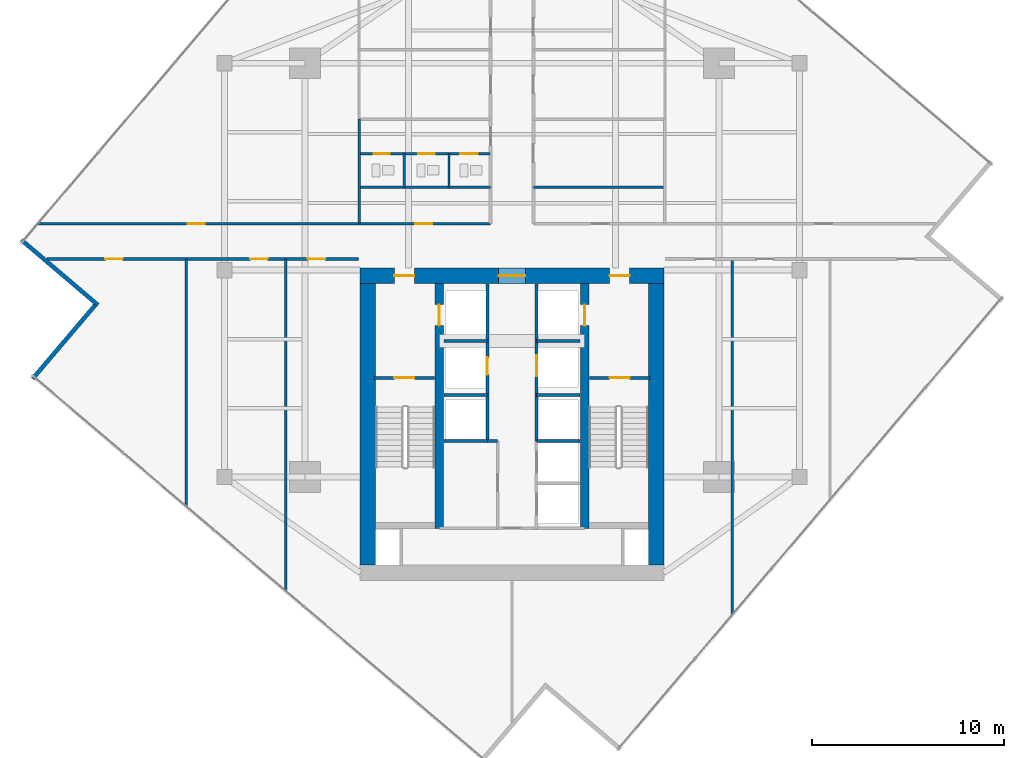
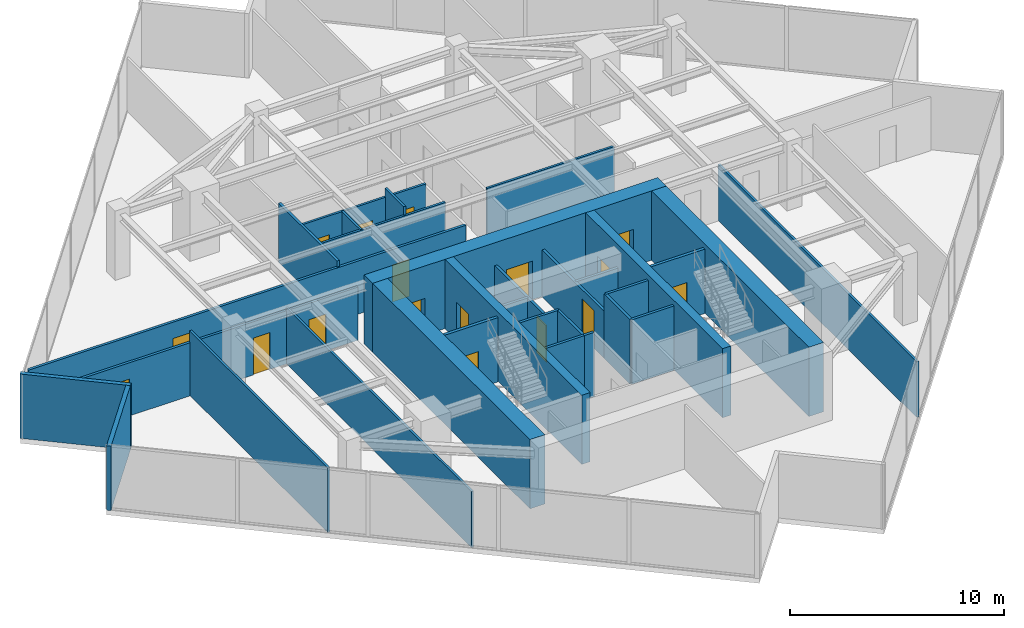
# One storey, part 22 of 25: 31 walls, 17 doors, 17 openings.
"""IFC4 building model written with IfcOpenShell, lengths in metres."""

from ifc_helpers import new_model, si_unit, direction, frame, frame_2d, origin, place, context, subcontext, project, spatial, rectangle, extrude, material, layer, layer_set, type_object, element, fill, save


model = new_model("IFC4")

# Units and contexts
model_context = context("Model", 3, precision=1e-05, world=origin(), true_north=direction((0.0, 1.0)))
body_context = subcontext(model_context, "Body", "Model", "MODEL_VIEW")
ifc_project = project(units=[si_unit("LENGTHUNIT", "METRE"), si_unit("AREAUNIT", "SQUARE_METRE"), si_unit("VOLUMEUNIT", "CUBIC_METRE"), si_unit("PLANEANGLEUNIT", "RADIAN"), si_unit("MASSUNIT", "GRAM", prefix="KILO")], contexts=[model_context])

# Site, building, storey
site_placement = place(None, origin())
site = spatial("IfcSite", under=ifc_project, at=site_placement, CompositionType="ELEMENT")
building_placement = place(site_placement, origin())
building = spatial("IfcBuilding", under=site, at=building_placement, Name="Krantzveldt Concourse Tower", CompositionType="ELEMENT")
storey_placement = place(building_placement, frame((0.0, 0.0, 211.25)))
storey = spatial("IfcBuildingStorey", under=building, at=storey_placement, Name="L51", CompositionType="ELEMENT", Elevation=211.25)

# Walls
ifc_material_1 = material(Name="Anodised aluminium 6063-T6", Category="aluminium")
ifc_layer_1 = layer(ifc_material_1, 0.219970703125, Name="Anodised aluminium 6063-T6", Category="aluminium")
ifc_layer_set_1 = layer_set([ifc_layer_1], Name="Anodised aluminium 6063-T6 (WL-EXT-NOTCH220)")
wall_type_1 = type_object("IfcWallType", Name="WL-EXT-NOTCH220", PredefinedType="ELEMENTEDWALL", material=ifc_layer_set_1)
wall_1_placement = place(storey_placement, frame((10.394287109375, 28.271484375, 0.0), z_axis=(0.0, 0.0, 1.0), x_axis=(0.761803778304, -0.647807844474, 0.0)))
element("IfcWall", 1, at=wall_1_placement, inside=storey, type_object=wall_type_1, Name="EW-L51-NCH02", PredefinedType="ELEMENTEDWALL", context=body_context, shape_type="SweptSolid", body=[
    extrude(rectangle(XDim=5.244873046875, YDim=0.219970703125, at=frame_2d((2.62255859375, 0.0))), origin(), (0.0, 0.0, 1.0), 3.669921875),
])
wall_2_placement = place(storey_placement, frame((14.23486328125, 24.861328125, 0.0), z_axis=(0.0, 0.0, 1.0), x_axis=(-0.647765464437, -0.761839814583, 0.0)))
element("IfcWall", 2, at=wall_2_placement, inside=storey, type_object=wall_type_1, Name="EW-L51-NCH03", PredefinedType="ELEMENTEDWALL", context=body_context, shape_type="SweptSolid", body=[
    extrude(rectangle(XDim=5.025146484375, YDim=0.219970703125, at=frame_2d((2.5126953125, 0.0))), origin(), (0.0, 0.0, 1.0), 3.669921875),
])
ifc_material_2 = material(Name="Fire-rated gypsum plasterboard on steel stud", Category="steel")
ifc_layer_2 = layer(ifc_material_2, 0.1201171875, Name="Fire-rated gypsum plasterboard on steel stud", Category="steel")
ifc_layer_set_2 = layer_set([ifc_layer_2], Name="Fire-rated gypsum plasterboard on steel stud (WL-PART-120)")
wall_type_2 = type_object("IfcWallType", Name="WL-PART-120", PredefinedType="PARTITIONING", material=ifc_layer_set_2)
for number, where, z_axis, x_axis, name in (
    (3, (28.02001953125, 31.02001953125, 0.0), (0.0, 0.0, 1.0), (1.0, 0.0, 0.0), "WP-L51-ISML"),
    (4, (37.1201171875, 31.02001953125, 0.0), (0.0, 0.0, 1.0), (1.0, 0.0, 0.0), "WP-L51-ISMR"),
):
    element("IfcWall", number, at=place(storey_placement, frame(where, z_axis=z_axis, x_axis=x_axis)), inside=storey, type_object=wall_type_2, Name=name, PredefinedType="PARTITIONING", context=body_context, shape_type="SweptSolid", body=[
        extrude(rectangle(XDim=6.85986328125, YDim=0.1201171875, at=frame_2d((3.429931640625, 0.0))), origin(), (0.0, 0.0, 1.0), 3.179931640625),
    ])

# Wall, openings, doors
wall_3_placement = place(storey_placement, frame((28.050048828125, 32.780029296875, 0.0), z_axis=(0.0, 0.0, 1.0), x_axis=(1.0, 0.0, 0.0)))
wall_3 = element("IfcWall", 5, at=wall_3_placement, inside=storey, type_object=wall_type_2, Name="WP-L51-WCHDR", PredefinedType="PARTITIONING", context=body_context, shape_type="SweptSolid", body=[
    extrude(rectangle(XDim=6.800048828125, YDim=0.1201171875, at=frame_2d((3.39990234375, 0.0))), origin(), (0.0, 0.0, 1.0), 3.179931640625),
])
opening_1_placement = place(wall_3_placement, frame((0.72509765625, 0.0, 0.0)))
opening_1 = element("IfcOpeningElement", 6, at=opening_1_placement, cuts=wall_3, Name="Opening D-IN085", PredefinedType="OPENING", context=body_context, shape_type="SweptSolid", body=[
    extrude(rectangle(XDim=0.85009765625, YDim=2.10009765625, at=frame_2d((0.425048828125, 1.050048828125))), frame((0.0, 0.070068359375, 0.0), z_axis=(0.0, -1.0, 0.0), x_axis=(1.0, 0.0, 0.0)), (0.0, 0.0, 1.0), 0.14013671875),
])
opening_2_placement = place(wall_3_placement, frame((3.06494140625, 0.0, 0.0)))
opening_2 = element("IfcOpeningElement", 7, at=opening_2_placement, cuts=wall_3, Name="Opening D-IN085", PredefinedType="OPENING", context=body_context, shape_type="SweptSolid", body=[
    extrude(rectangle(XDim=0.85009765625, YDim=2.10009765625, at=frame_2d((0.425048828125, 1.050048828125))), frame((0.0, 0.070068359375, 0.0), z_axis=(0.0, -1.0, 0.0), x_axis=(1.0, 0.0, 0.0)), (0.0, 0.0, 1.0), 0.14013671875),
])
opening_3_placement = place(wall_3_placement, frame((5.25, 0.0, 0.0)))
opening_3 = element("IfcOpeningElement", 8, at=opening_3_placement, cuts=wall_3, Name="Opening D-IN090", PredefinedType="OPENING", context=body_context, shape_type="SweptSolid", body=[
    extrude(rectangle(XDim=0.89990234375, YDim=2.10009765625, at=frame_2d((0.449951171875, 1.050048828125))), frame((0.0, 0.070068359375, 0.0), z_axis=(0.0, -1.0, 0.0), x_axis=(1.0, 0.0, 0.0)), (0.0, 0.0, 1.0), 0.14013671875),
])
ifc_material_3 = material(Name="Hardwood timber", Category="wood")
door_type_1 = type_object("IfcDoorType", Name="DR-INT-850", OperationType="SINGLE_SWING_LEFT", PredefinedType="DOOR", material=ifc_material_3)
door_1_placement = place(opening_1_placement, origin())
door_1 = element("IfcDoor", 9, at=door_1_placement, inside=storey, type_object=door_type_1, Name="DR-L51-WCM", OperationType="SINGLE_SWING_LEFT", OverallHeight=2.10009765625, OverallWidth=0.85009765625, PredefinedType="DOOR", context=body_context, shape_type="SweptSolid", body=[
    extrude(rectangle(XDim=0.85009765625, YDim=2.10009765625, at=frame_2d((0.425048828125, 1.050048828125))), frame((0.0, 0.02490234375, 0.0), z_axis=(0.0, -1.0, 0.0), x_axis=(1.0, 0.0, 0.0)), (0.0, 0.0, 1.0), 0.050048828125),
])
fill(opening_1, door_1)
door_2_placement = place(opening_2_placement, origin())
door_2 = element("IfcDoor", 10, at=door_2_placement, inside=storey, type_object=door_type_1, Name="DR-L51-WCF", OperationType="SINGLE_SWING_RIGHT", OverallHeight=2.10009765625, OverallWidth=0.85009765625, PredefinedType="DOOR", context=body_context, shape_type="SweptSolid", body=[
    extrude(rectangle(XDim=0.85009765625, YDim=2.10009765625, at=frame_2d((0.425048828125, 1.050048828125))), frame((0.0, 0.02490234375, 0.0), z_axis=(0.0, -1.0, 0.0), x_axis=(1.0, 0.0, 0.0)), (0.0, 0.0, 1.0), 0.050048828125),
])
fill(opening_2, door_2)
door_type_2 = type_object("IfcDoorType", Name="DR-INT-900", OperationType="SINGLE_SWING_LEFT", PredefinedType="DOOR", material=ifc_material_3)
door_3_placement = place(opening_3_placement, origin())
door_3 = element("IfcDoor", 11, at=door_3_placement, inside=storey, type_object=door_type_2, Name="DR-L51-WCA", OperationType="SINGLE_SWING_LEFT", OverallHeight=2.10009765625, OverallWidth=0.89990234375, PredefinedType="DOOR", context=body_context, shape_type="SweptSolid", body=[
    extrude(rectangle(XDim=0.89990234375, YDim=2.10009765625, at=frame_2d((0.449951171875, 1.050048828125))), frame((0.0, 0.02490234375, 0.0), z_axis=(0.0, -1.0, 0.0), x_axis=(1.0, 0.0, 0.0)), (0.0, 0.0, 1.0), 0.050048828125),
])
fill(opening_3, door_3)

# Walls
wall_4_placement = place(storey_placement, frame((30.3701171875, 31.02001953125, 0.0), z_axis=(0.0, 0.0, 1.0), x_axis=(0.0, 1.0, 0.0)))
element("IfcWall", 12, at=wall_4_placement, inside=storey, type_object=wall_type_2, Name="WP-L51-WCD1", PredefinedType="PARTITIONING", context=body_context, shape_type="SweptSolid", body=[
    extrude(rectangle(XDim=1.760009765625, YDim=0.1201171875, at=frame_2d((0.8798828125, 0.0))), origin(), (0.0, 0.0, 1.0), 3.179931640625),
])
wall_5_placement = place(storey_placement, frame((32.7099609375, 31.02001953125, 0.0), z_axis=(0.0, 0.0, 1.0), x_axis=(0.0, 1.0, 0.0)))
element("IfcWall", 13, at=wall_5_placement, inside=storey, type_object=wall_type_2, Name="WP-L51-WCD2", PredefinedType="PARTITIONING", context=body_context, shape_type="SweptSolid", body=[
    extrude(rectangle(XDim=1.760009765625, YDim=0.1201171875, at=frame_2d((0.8798828125, 0.0))), origin(), (0.0, 0.0, 1.0), 3.669921875),
])
wall_6_placement = place(storey_placement, frame((19.0, 14.3642578125, 0.0), z_axis=(0.0, 0.0, 1.0), x_axis=(0.0, 1.0, 0.0)))
element("IfcWall", 14, at=wall_6_placement, inside=storey, type_object=wall_type_2, Name="WP-L51-SWX1", PredefinedType="PARTITIONING", context=body_context, shape_type="SweptSolid", body=[
    extrude(rectangle(XDim=12.915771484375, YDim=0.1201171875, at=frame_2d((6.4580078125, 0.0))), origin(), (0.0, 0.0, 1.0), 3.669921875),
])
wall_7_placement = place(storey_placement, frame((24.199951171875, 9.942626953125, 0.0), z_axis=(0.0, 0.0, 1.0), x_axis=(0.0, 1.0, 0.0)))
element("IfcWall", 15, at=wall_7_placement, inside=storey, type_object=wall_type_2, Name="WP-L51-SWX2", PredefinedType="PARTITIONING", context=body_context, shape_type="SweptSolid", body=[
    extrude(rectangle(XDim=17.33740234375, YDim=0.1201171875, at=frame_2d((8.668701171875, 0.0))), origin(), (0.0, 0.0, 1.0), 3.179931640625),
])
wall_8_placement = place(storey_placement, frame((47.5, 8.71728515625, 0.0), z_axis=(0.0, 0.0, 1.0), x_axis=(0.0, 1.0, 0.0)))
element("IfcWall", 16, at=wall_8_placement, inside=storey, type_object=wall_type_2, Name="WP-L51-SEX1", PredefinedType="PARTITIONING", context=body_context, shape_type="SweptSolid", body=[
    extrude(rectangle(XDim=18.562744140625, YDim=0.1201171875, at=frame_2d((9.28125, 0.0))), origin(), (0.0, 0.0, 1.0), 3.179931640625),
])

# Wall, openings, doors
ifc_layer_3 = layer(ifc_material_2, 0.139892578125, Name="Fire-rated gypsum plasterboard on steel stud", Category="steel")
ifc_layer_set_3 = layer_set([ifc_layer_3], Name="Fire-rated gypsum plasterboard on steel stud (WL-PART-140)")
wall_type_3 = type_object("IfcWallType", Name="WL-PART-140", PredefinedType="PARTITIONING", material=ifc_layer_set_3)
wall_9_placement = place(storey_placement, frame((11.2666015625, 29.1201171875, 0.0), z_axis=(0.0, 0.0, 1.0), x_axis=(1.0, 0.0, 0.0)))
wall_9 = element("IfcWall", 17, at=wall_9_placement, inside=storey, type_object=wall_type_3, Name="WP-L51-EWNL", PredefinedType="PARTITIONING", context=body_context, shape_type="SweptSolid", body=[
    extrude(rectangle(XDim=23.61328125, YDim=0.139892578125, at=frame_2d((11.806640625, 0.0))), origin(), (0.0, 0.0, 1.0), 3.030029296875),
])
opening_4_placement = place(wall_9_placement, frame((19.683349609375, 0.0, 0.0)))
opening_4 = element("IfcOpeningElement", 18, at=opening_4_placement, cuts=wall_9, Name="Opening D-IN090", PredefinedType="OPENING", context=body_context, shape_type="SweptSolid", body=[
    extrude(rectangle(XDim=0.89990234375, YDim=2.10009765625, at=frame_2d((0.449951171875, 1.050048828125))), frame((0.0, 0.080078125, 0.0), z_axis=(0.0, -1.0, 0.0), x_axis=(1.0, 0.0, 0.0)), (0.0, 0.0, 1.0), 0.159912109375),
])
opening_5_placement = place(wall_9_placement, frame((7.809326171875, 0.0, 0.0)))
opening_5 = element("IfcOpeningElement", 19, at=opening_5_placement, cuts=wall_9, Name="Opening D-IN090", PredefinedType="OPENING", context=body_context, shape_type="SweptSolid", body=[
    extrude(rectangle(XDim=0.89990234375, YDim=2.10009765625, at=frame_2d((0.449951171875, 1.050048828125))), frame((0.0, 0.080078125, 0.0), z_axis=(0.0, -1.0, 0.0), x_axis=(1.0, 0.0, 0.0)), (0.0, 0.0, 1.0), 0.159912109375),
])
door_4_placement = place(opening_4_placement, origin())
door_4 = element("IfcDoor", 20, at=door_4_placement, inside=storey, type_object=door_type_2, Name="DR-L51-ALCL", OperationType="SINGLE_SWING_LEFT", OverallHeight=2.10009765625, OverallWidth=0.89990234375, PredefinedType="DOOR", context=body_context, shape_type="SweptSolid", body=[
    extrude(rectangle(XDim=0.89990234375, YDim=2.10009765625, at=frame_2d((0.449951171875, 1.050048828125))), frame((0.0, 0.02490234375, 0.0), z_axis=(0.0, -1.0, 0.0), x_axis=(1.0, 0.0, 0.0)), (0.0, 0.0, 1.0), 0.050048828125),
])
fill(opening_4, door_4)
door_5_placement = place(opening_5_placement, origin())
door_5 = element("IfcDoor", 21, at=door_5_placement, inside=storey, type_object=door_type_2, Name="DR-L51-NWX1", OperationType="SINGLE_SWING_LEFT", OverallHeight=2.10009765625, OverallWidth=0.89990234375, PredefinedType="DOOR", context=body_context, shape_type="SweptSolid", body=[
    extrude(rectangle(XDim=0.89990234375, YDim=2.10009765625, at=frame_2d((0.449951171875, 1.050048828125))), frame((0.0, 0.02490234375, 0.0), z_axis=(0.0, -1.0, 0.0), x_axis=(1.0, 0.0, 0.0)), (0.0, 0.0, 1.0), 0.050048828125),
])
fill(opening_5, door_5)

wall_10_placement = place(storey_placement, frame((11.737548828125, 27.280029296875, 0.0), z_axis=(0.0, 0.0, 1.0), x_axis=(1.0, 0.0, 0.0)))
wall_10 = element("IfcWall", 22, at=wall_10_placement, inside=storey, type_object=wall_type_3, Name="WP-L51-EWSL", PredefinedType="PARTITIONING", context=body_context, shape_type="SweptSolid", body=[
    extrude(rectangle(XDim=16.262451171875, YDim=0.139892578125, at=frame_2d((8.13134765625, 0.0))), origin(), (0.0, 0.0, 1.0), 3.030029296875),
])
opening_6_placement = place(wall_10_placement, frame((3.038330078125, 0.0, 0.0)))
opening_6 = element("IfcOpeningElement", 23, at=opening_6_placement, cuts=wall_10, Name="Opening D-IN090", PredefinedType="OPENING", context=body_context, shape_type="SweptSolid", body=[
    extrude(rectangle(XDim=0.89990234375, YDim=2.10009765625, at=frame_2d((0.449951171875, 1.050048828125))), frame((0.0, 0.080078125, 0.0), z_axis=(0.0, -1.0, 0.0), x_axis=(1.0, 0.0, 0.0)), (0.0, 0.0, 1.0), 0.159912109375),
])
opening_7_placement = place(wall_10_placement, frame((10.6123046875, 0.0, 0.0)))
opening_7 = element("IfcOpeningElement", 24, at=opening_7_placement, cuts=wall_10, Name="Opening D-IN090", PredefinedType="OPENING", context=body_context, shape_type="SweptSolid", body=[
    extrude(rectangle(XDim=0.89990234375, YDim=2.10009765625, at=frame_2d((0.449951171875, 1.050048828125))), frame((0.0, 0.080078125, 0.0), z_axis=(0.0, -1.0, 0.0), x_axis=(1.0, 0.0, 0.0)), (0.0, 0.0, 1.0), 0.159912109375),
])
opening_8_placement = place(wall_10_placement, frame((13.6123046875, 0.0, 0.0)))
opening_8 = element("IfcOpeningElement", 25, at=opening_8_placement, cuts=wall_10, Name="Opening D-IN090", PredefinedType="OPENING", context=body_context, shape_type="SweptSolid", body=[
    extrude(rectangle(XDim=0.89990234375, YDim=2.10009765625, at=frame_2d((0.449951171875, 1.050048828125))), frame((0.0, 0.080078125, 0.0), z_axis=(0.0, -1.0, 0.0), x_axis=(1.0, 0.0, 0.0)), (0.0, 0.0, 1.0), 0.159912109375),
])
door_6_placement = place(opening_6_placement, origin())
door_6 = element("IfcDoor", 26, at=door_6_placement, inside=storey, type_object=door_type_2, Name="DR-L51-SWX1", OperationType="SINGLE_SWING_LEFT", OverallHeight=2.10009765625, OverallWidth=0.89990234375, PredefinedType="DOOR", context=body_context, shape_type="SweptSolid", body=[
    extrude(rectangle(XDim=0.89990234375, YDim=2.10009765625, at=frame_2d((0.449951171875, 1.050048828125))), frame((0.0, 0.02490234375, 0.0), z_axis=(0.0, -1.0, 0.0), x_axis=(1.0, 0.0, 0.0)), (0.0, 0.0, 1.0), 0.050048828125),
])
fill(opening_6, door_6)
door_7_placement = place(opening_7_placement, origin())
door_7 = element("IfcDoor", 27, at=door_7_placement, inside=storey, type_object=door_type_2, Name="DR-L51-SWX2", OperationType="SINGLE_SWING_LEFT", OverallHeight=2.10009765625, OverallWidth=0.89990234375, PredefinedType="DOOR", context=body_context, shape_type="SweptSolid", body=[
    extrude(rectangle(XDim=0.89990234375, YDim=2.10009765625, at=frame_2d((0.449951171875, 1.050048828125))), frame((0.0, 0.02490234375, 0.0), z_axis=(0.0, -1.0, 0.0), x_axis=(1.0, 0.0, 0.0)), (0.0, 0.0, 1.0), 0.050048828125),
])
fill(opening_7, door_7)
door_8_placement = place(opening_8_placement, origin())
door_8 = element("IfcDoor", 28, at=door_8_placement, inside=storey, type_object=door_type_2, Name="DR-L51-SWX3", OperationType="SINGLE_SWING_LEFT", OverallHeight=2.10009765625, OverallWidth=0.89990234375, PredefinedType="DOOR", context=body_context, shape_type="SweptSolid", body=[
    extrude(rectangle(XDim=0.89990234375, YDim=2.10009765625, at=frame_2d((0.449951171875, 1.050048828125))), frame((0.0, 0.02490234375, 0.0), z_axis=(0.0, -1.0, 0.0), x_axis=(1.0, 0.0, 0.0)), (0.0, 0.0, 1.0), 0.050048828125),
])
fill(opening_8, door_8)

# Wall
wall_11_placement = place(storey_placement, frame((28.02001953125, 29.1201171875, 0.0), z_axis=(0.0, 0.0, 1.0), x_axis=(0.0, 1.0, 0.0)))
element("IfcWall", 29, at=wall_11_placement, inside=storey, type_object=wall_type_3, Name="WP-L51-ISWL", PredefinedType="PARTITIONING", context=body_context, shape_type="SweptSolid", body=[
    extrude(rectangle(XDim=5.4599609375, YDim=0.139892578125, at=frame_2d((2.72998046875, 0.0))), origin(), (0.0, 0.0, 1.0), 3.3701171875),
])

# Wall, opening, door
ifc_layer_4 = layer(ifc_material_2, 0.139892578125, Name="Fire-rated gypsum plasterboard on steel stud", Category="steel")
ifc_layer_set_4 = layer_set([ifc_layer_4], Name="Fire-rated gypsum plasterboard on steel stud (WL-PART-FR140)")
wall_type_4 = type_object("IfcWallType", Name="WL-PART-FR140", PredefinedType="PARTITIONING", material=ifc_layer_set_4)
wall_12_placement = place(storey_placement, frame((34.719970703125, 20.199951171875, 0.0), z_axis=(0.0, 0.0, 1.0), x_axis=(0.0, 1.0, 0.0)))
wall_12 = element("IfcWall", 30, at=wall_12_placement, inside=storey, type_object=wall_type_4, Name="WP-L51-SHNW", PredefinedType="PARTITIONING", context=body_context, shape_type="SweptSolid", body=[
    extrude(rectangle(XDim=5.780029296875, YDim=0.139892578125, at=frame_2d((2.89013671875, 0.0))), origin(), (0.0, 0.0, 1.0), 2.669921875),
])
opening_9_placement = place(wall_12_placement, frame((1.050048828125, 0.0, 0.0)))
opening_9 = element("IfcOpeningElement", 31, at=opening_9_placement, cuts=wall_12, Name="Opening D-FD090", PredefinedType="OPENING", context=body_context, shape_type="SweptSolid", body=[
    extrude(rectangle(XDim=0.89990234375, YDim=2.10009765625, at=frame_2d((0.449951171875, 1.050048828125))), frame((0.0, 0.080078125, 0.0), z_axis=(0.0, -1.0, 0.0), x_axis=(1.0, 0.0, 0.0)), (0.0, 0.0, 1.0), 0.159912109375),
])
door_type_3 = type_object("IfcDoorType", Name="DR-FD60-900", OperationType="SINGLE_SWING_LEFT", PredefinedType="DOOR", material=ifc_material_3)
door_9_placement = place(opening_9_placement, origin())
door_9 = element("IfcDoor", 32, at=door_9_placement, inside=storey, type_object=door_type_3, Name="Electrical Riser Access Door L51", OperationType="SINGLE_SWING_LEFT", OverallHeight=2.10009765625, OverallWidth=0.89990234375, PredefinedType="DOOR", context=body_context, shape_type="SweptSolid", body=[
    extrude(rectangle(XDim=0.89990234375, YDim=2.10009765625, at=frame_2d((0.449951171875, 1.050048828125))), frame((0.0, 0.02490234375, 0.0), z_axis=(0.0, -1.0, 0.0), x_axis=(1.0, 0.0, 0.0)), (0.0, 0.0, 1.0), 0.050048828125),
])
fill(opening_9, door_9)

wall_13_placement = place(storey_placement, frame((37.280029296875, 20.199951171875, 0.0), z_axis=(0.0, 0.0, 1.0), x_axis=(0.0, 1.0, 0.0)))
wall_13 = element("IfcWall", 33, at=wall_13_placement, inside=storey, type_object=wall_type_4, Name="WP-L51-SHNE", PredefinedType="PARTITIONING", context=body_context, shape_type="SweptSolid", body=[
    extrude(rectangle(XDim=5.780029296875, YDim=0.139892578125, at=frame_2d((2.89013671875, 0.0))), origin(), (0.0, 0.0, 1.0), 2.669921875),
])
opening_10_placement = place(wall_13_placement, frame((0.949951171875, 0.0, 0.0)))
opening_10 = element("IfcOpeningElement", 34, at=opening_10_placement, cuts=wall_13, Name="Opening LD", PredefinedType="OPENING", context=body_context, shape_type="SweptSolid", body=[
    extrude(rectangle(XDim=1.10009765625, YDim=2.14990234375, at=frame_2d((0.550048828125, 1.074951171875))), frame((0.0, 0.080078125, 0.0), z_axis=(0.0, -1.0, 0.0), x_axis=(1.0, 0.0, 0.0)), (0.0, 0.0, 1.0), 0.159912109375),
])
ifc_material_4 = material(Name="Stainless steel 316L", Category="steel")
door_type_4 = type_object("IfcDoorType", Name="DR-SLIDE-LD1100", OperationType="DOUBLE_DOOR_SLIDING", PredefinedType="DOOR", material=ifc_material_4)
door_10_placement = place(opening_10_placement, origin())
door_10 = element("IfcDoor", 35, at=door_10_placement, inside=storey, type_object=door_type_4, Name="LD-L51-GL1", OperationType="DOUBLE_DOOR_SLIDING", OverallHeight=2.14990234375, OverallWidth=1.10009765625, PredefinedType="DOOR", context=body_context, shape_type="SweptSolid", body=[
    extrude(rectangle(XDim=1.10009765625, YDim=2.14990234375, at=frame_2d((0.550048828125, 1.074951171875))), frame((0.0, 0.02490234375, 0.0), z_axis=(0.0, -1.0, 0.0), x_axis=(1.0, 0.0, 0.0)), (0.0, 0.0, 1.0), 0.050048828125),
])
fill(opening_10, door_10)

# Walls
for number, where, z_axis, x_axis, name in (
    (36, (32.449951171875, 23.0, 0.0), (0.0, 0.0, 1.0), (1.0, 0.0, 0.0), "WP-L51-RISH"),
    (37, (37.280029296875, 23.0, 0.0), (0.0, 0.0, 1.0), (1.0, 0.0, 0.0), "WP-L51-GLH"),
):
    element("IfcWall", number, at=place(storey_placement, frame(where, z_axis=z_axis, x_axis=x_axis)), inside=storey, type_object=wall_type_4, Name=name, PredefinedType="PARTITIONING", context=body_context, shape_type="SweptSolid", body=[
        extrude(rectangle(XDim=2.27001953125, YDim=0.139892578125, at=frame_2d((1.135009765625, 0.0))), origin(), (0.0, 0.0, 1.0), 2.669921875),
    ])
for number, where, z_axis, x_axis, name in (
    (38, (34.719970703125, 17.780029296875, 0.0), (0.0, 0.0, 1.0), (0.0, 1.0, 0.0), "WP-L51-SHNW2"),
    (39, (37.280029296875, 17.780029296875, 0.0), (0.0, 0.0, 1.0), (0.0, 1.0, 0.0), "WP-L51-SHNE2"),
):
    element("IfcWall", number, at=place(storey_placement, frame(where, z_axis=z_axis, x_axis=x_axis)), inside=storey, type_object=wall_type_4, Name=name, PredefinedType="PARTITIONING", context=body_context, shape_type="SweptSolid", body=[
        extrude(rectangle(XDim=2.419921875, YDim=0.139892578125, at=frame_2d((1.2099609375, 0.0))), origin(), (0.0, 0.0, 1.0), 3.669921875),
    ])
for number, where, z_axis, x_axis, name in (
    (40, (32.449951171875, 17.780029296875, 0.0), (0.0, 0.0, 1.0), (1.0, 0.0, 0.0), "WP-L51-DIVW2"),
    (41, (32.449951171875, 20.179931640625, 0.0), (0.0, 0.0, 1.0), (1.0, 0.0, 0.0), "WP-L51-DIVW3"),
    (42, (37.280029296875, 17.780029296875, 0.0), (0.0, 0.0, 1.0), (1.0, 0.0, 0.0), "WP-L51-DIVE2"),
    (43, (37.280029296875, 20.179931640625, 0.0), (0.0, 0.0, 1.0), (1.0, 0.0, 0.0), "WP-L51-DIVE3"),
):
    element("IfcWall", number, at=place(storey_placement, frame(where, z_axis=z_axis, x_axis=x_axis)), inside=storey, type_object=wall_type_4, Name=name, PredefinedType="PARTITIONING", context=body_context, shape_type="SweptSolid", body=[
        extrude(rectangle(XDim=2.27001953125, YDim=0.139892578125, at=frame_2d((1.135009765625, 0.0))), origin(), (0.0, 0.0, 1.0), 3.669921875),
    ])
wall_14_placement = place(storey_placement, frame((34.719970703125, 17.780029296875, 0.0), z_axis=(0.0, 0.0, 1.0), x_axis=(1.0, 0.0, 0.0)))
element("IfcWall", 44, at=wall_14_placement, inside=storey, type_object=wall_type_4, Name="WP-L51-RECWN", PredefinedType="PARTITIONING", context=body_context, shape_type="SweptSolid", body=[
    extrude(rectangle(XDim=0.530029296875, YDim=0.139892578125, at=frame_2d((0.26513671875, 0.0))), origin(), (0.0, 0.0, 1.0), 3.669921875),
])

# Wall, opening, door
ifc_layer_5 = layer(ifc_material_2, 0.159912109375, Name="Fire-rated gypsum plasterboard on steel stud", Category="steel")
ifc_layer_set_5 = layer_set([ifc_layer_5], Name="Fire-rated gypsum plasterboard on steel stud (WL-PART-FR160)")
wall_type_5 = type_object("IfcWallType", Name="WL-PART-FR160", PredefinedType="PARTITIONING", material=ifc_layer_set_5)
wall_15_placement = place(storey_placement, frame((28.800048828125, 21.080078125, 0.0), z_axis=(0.0, 0.0, 1.0), x_axis=(1.0, 0.0, 0.0)))
wall_15 = element("IfcWall", 45, at=wall_15_placement, inside=storey, type_object=wall_type_5, Name="WP-L51-ST1", PredefinedType="PARTITIONING", context=body_context, shape_type="SweptSolid", body=[
    extrude(rectangle(XDim=3.159912109375, YDim=0.159912109375, at=frame_2d((1.580078125, 0.0))), origin(), (0.0, 0.0, 1.0), 3.669921875),
])
opening_11_placement = place(wall_15_placement, frame((1.054931640625, 0.0, 0.0)))
opening_11 = element("IfcOpeningElement", 46, at=opening_11_placement, cuts=wall_15, Name="Opening D-FD105", PredefinedType="OPENING", context=body_context, shape_type="SweptSolid", body=[
    extrude(rectangle(XDim=1.050048828125, YDim=2.10009765625, at=frame_2d((0.52490234375, 1.050048828125))), frame((0.0, 0.08984375, 0.0), z_axis=(0.0, -1.0, 0.0), x_axis=(1.0, 0.0, 0.0)), (0.0, 0.0, 1.0), 0.179931640625),
])
ifc_material_5 = material(Name="Galvanised steel", Category="steel")
door_type_5 = type_object("IfcDoorType", Name="DR-FD120-1050", OperationType="SINGLE_SWING_LEFT", PredefinedType="DOOR", material=ifc_material_5)
door_11_placement = place(opening_11_placement, origin())
door_11 = element("IfcDoor", 47, at=door_11_placement, inside=storey, type_object=door_type_5, Name="DR-L51-ST1", OperationType="SINGLE_SWING_RIGHT", OverallHeight=2.10009765625, OverallWidth=1.050048828125, PredefinedType="DOOR", context=body_context, shape_type="SweptSolid", body=[
    extrude(rectangle(XDim=1.050048828125, YDim=2.10009765625, at=frame_2d((0.52490234375, 1.050048828125))), frame((0.0, 0.02490234375, 0.0), z_axis=(0.0, -1.0, 0.0), x_axis=(1.0, 0.0, 0.0)), (0.0, 0.0, 1.0), 0.050048828125),
])
fill(opening_11, door_11)

wall_16_placement = place(storey_placement, frame((40.0400390625, 21.080078125, 0.0), z_axis=(0.0, 0.0, 1.0), x_axis=(1.0, 0.0, 0.0)))
wall_16 = element("IfcWall", 48, at=wall_16_placement, inside=storey, type_object=wall_type_5, Name="WP-L51-ST2", PredefinedType="PARTITIONING", context=body_context, shape_type="SweptSolid", body=[
    extrude(rectangle(XDim=3.159912109375, YDim=0.159912109375, at=frame_2d((1.580078125, 0.0))), origin(), (0.0, 0.0, 1.0), 3.669921875),
])
opening_12_placement = place(wall_16_placement, frame((1.054931640625, 0.0, 0.0)))
opening_12 = element("IfcOpeningElement", 49, at=opening_12_placement, cuts=wall_16, Name="Opening D-FD105", PredefinedType="OPENING", context=body_context, shape_type="SweptSolid", body=[
    extrude(rectangle(XDim=1.050048828125, YDim=2.10009765625, at=frame_2d((0.52490234375, 1.050048828125))), frame((0.0, 0.08984375, 0.0), z_axis=(0.0, -1.0, 0.0), x_axis=(1.0, 0.0, 0.0)), (0.0, 0.0, 1.0), 0.179931640625),
])
door_12_placement = place(opening_12_placement, origin())
door_12 = element("IfcDoor", 50, at=door_12_placement, inside=storey, type_object=door_type_5, Name="DR-L51-ST2", OperationType="SINGLE_SWING_LEFT", OverallHeight=2.10009765625, OverallWidth=1.050048828125, PredefinedType="DOOR", context=body_context, shape_type="SweptSolid", body=[
    extrude(rectangle(XDim=1.050048828125, YDim=2.10009765625, at=frame_2d((0.52490234375, 1.050048828125))), frame((0.0, 0.02490234375, 0.0), z_axis=(0.0, -1.0, 0.0), x_axis=(1.0, 0.0, 0.0)), (0.0, 0.0, 1.0), 0.050048828125),
])
fill(opening_12, door_12)

ifc_material_6 = material(Name="Concrete C50/60", Category="concrete")
ifc_layer_6 = layer(ifc_material_6, 0.449951171875, Name="Concrete C50/60", Category="concrete")
ifc_layer_set_6 = layer_set([ifc_layer_6], Name="Concrete C50/60 (WL-SHEAR-450)")
wall_type_6 = type_object("IfcWallType", Name="WL-SHEAR-450", PredefinedType="SHEAR", material=ifc_layer_set_6)
wall_17_placement = place(storey_placement, frame((32.205078125, 13.219970703125, 0.0), z_axis=(0.0, 0.0, 1.0), x_axis=(0.0, 1.0, 0.0)))
wall_17 = element("IfcWall", 51, at=wall_17_placement, inside=storey, type_object=wall_type_6, Name="CW-L51-IW", PredefinedType="SHEAR", context=body_context, shape_type="SweptSolid", body=[
    extrude(rectangle(XDim=12.780029296875, YDim=0.449951171875, at=frame_2d((6.39013671875, 0.0))), origin(), (0.0, 0.0, 1.0), 3.949951171875),
])
opening_13_placement = place(wall_17_placement, frame((10.580078125, 0.0, 0.0)))
opening_13 = element("IfcOpeningElement", 52, at=opening_13_placement, cuts=wall_17, Name="Opening LD", PredefinedType="OPENING", context=body_context, shape_type="SweptSolid", body=[
    extrude(rectangle(XDim=1.10009765625, YDim=2.14990234375, at=frame_2d((0.550048828125, 1.074951171875))), frame((0.0, 0.23486328125, 0.0), z_axis=(0.0, -1.0, 0.0), x_axis=(1.0, 0.0, 0.0)), (0.0, 0.0, 1.0), 0.469970703125),
])
door_13_placement = place(opening_13_placement, origin())
door_13 = element("IfcDoor", 53, at=door_13_placement, inside=storey, type_object=door_type_4, Name="LD-L51-FL1", OperationType="DOUBLE_DOOR_SLIDING", OverallHeight=2.14990234375, OverallWidth=1.10009765625, PredefinedType="DOOR", context=body_context, shape_type="SweptSolid", body=[
    extrude(rectangle(XDim=1.10009765625, YDim=2.14990234375, at=frame_2d((0.550048828125, 1.074951171875))), frame((0.0, 0.02490234375, 0.0), z_axis=(0.0, -1.0, 0.0), x_axis=(1.0, 0.0, 0.0)), (0.0, 0.0, 1.0), 0.050048828125),
])
fill(opening_13, door_13)

wall_18_placement = place(storey_placement, frame((39.794921875, 13.219970703125, 0.0), z_axis=(0.0, 0.0, 1.0), x_axis=(0.0, 1.0, 0.0)))
wall_18 = element("IfcWall", 54, at=wall_18_placement, inside=storey, type_object=wall_type_6, Name="CW-L51-IE", PredefinedType="SHEAR", context=body_context, shape_type="SweptSolid", body=[
    extrude(rectangle(XDim=12.780029296875, YDim=0.449951171875, at=frame_2d((6.39013671875, 0.0))), origin(), (0.0, 0.0, 1.0), 3.949951171875),
])
opening_14_placement = place(wall_18_placement, frame((10.580078125, 0.0, 0.0)))
opening_14 = element("IfcOpeningElement", 55, at=opening_14_placement, cuts=wall_18, Name="Opening LD", PredefinedType="OPENING", context=body_context, shape_type="SweptSolid", body=[
    extrude(rectangle(XDim=1.10009765625, YDim=2.14990234375, at=frame_2d((0.550048828125, 1.074951171875))), frame((0.0, 0.23486328125, 0.0), z_axis=(0.0, -1.0, 0.0), x_axis=(1.0, 0.0, 0.0)), (0.0, 0.0, 1.0), 0.469970703125),
])
door_14_placement = place(opening_14_placement, origin())
door_14 = element("IfcDoor", 56, at=door_14_placement, inside=storey, type_object=door_type_4, Name="LD-L51-FL2", OperationType="DOUBLE_DOOR_SLIDING", OverallHeight=2.14990234375, OverallWidth=1.10009765625, PredefinedType="DOOR", context=body_context, shape_type="SweptSolid", body=[
    extrude(rectangle(XDim=1.10009765625, YDim=2.14990234375, at=frame_2d((0.550048828125, 1.074951171875))), frame((0.0, 0.02490234375, 0.0), z_axis=(0.0, -1.0, 0.0), x_axis=(1.0, 0.0, 0.0)), (0.0, 0.0, 1.0), 0.050048828125),
])
fill(opening_14, door_14)

# Wall, openings, doors
ifc_material_7 = material(Name="Concrete C60/75", Category="concrete")
ifc_layer_7 = layer(ifc_material_7, 0.800048828125, Name="Concrete C60/75", Category="concrete")
ifc_layer_set_7 = layer_set([ifc_layer_7], Name="Concrete C60/75 (WL-SHEAR-800)")
wall_type_7 = type_object("IfcWallType", Name="WL-SHEAR-800", PredefinedType="SHEAR", material=ifc_layer_set_7)
wall_19_placement = place(storey_placement, frame((28.080078125, 26.39990234375, 0.0), z_axis=(0.0, 0.0, 1.0), x_axis=(1.0, 0.0, 0.0)))
wall_19 = element("IfcWall", 57, at=wall_19_placement, inside=storey, type_object=wall_type_7, Name="CW-L51-N", PredefinedType="SHEAR", context=body_context, shape_type="SweptSolid", body=[
    extrude(rectangle(XDim=15.83984375, YDim=0.800048828125, at=frame_2d((7.919921875, 0.0))), origin(), (0.0, 0.0, 1.0), 3.949951171875),
])
opening_15_placement = place(wall_19_placement, frame((7.219970703125, 0.0, 0.0)))
opening_15 = element("IfcOpeningElement", 58, at=opening_15_placement, cuts=wall_19, Name="Opening D-DB140", PredefinedType="OPENING", context=body_context, shape_type="SweptSolid", body=[
    extrude(rectangle(XDim=1.39990234375, YDim=2.199951171875, at=frame_2d((0.699951171875, 1.10009765625))), frame((0.0, 0.41015625, 0.0), z_axis=(0.0, -1.0, 0.0), x_axis=(1.0, 0.0, 0.0)), (0.0, 0.0, 1.0), 0.820068359375),
])
opening_16_placement = place(wall_19_placement, frame((1.77490234375, 0.0, 0.0)))
opening_16 = element("IfcOpeningElement", 59, at=opening_16_placement, cuts=wall_19, Name="Opening D-FD105", PredefinedType="OPENING", context=body_context, shape_type="SweptSolid", body=[
    extrude(rectangle(XDim=1.050048828125, YDim=2.10009765625, at=frame_2d((0.52490234375, 1.050048828125))), frame((0.0, 0.41015625, 0.0), z_axis=(0.0, -1.0, 0.0), x_axis=(1.0, 0.0, 0.0)), (0.0, 0.0, 1.0), 0.820068359375),
])
opening_17_placement = place(wall_19_placement, frame((13.014892578125, 0.0, 0.0)))
opening_17 = element("IfcOpeningElement", 60, at=opening_17_placement, cuts=wall_19, Name="Opening D-FD105", PredefinedType="OPENING", context=body_context, shape_type="SweptSolid", body=[
    extrude(rectangle(XDim=1.050048828125, YDim=2.10009765625, at=frame_2d((0.52490234375, 1.050048828125))), frame((0.0, 0.41015625, 0.0), z_axis=(0.0, -1.0, 0.0), x_axis=(1.0, 0.0, 0.0)), (0.0, 0.0, 1.0), 0.820068359375),
])
door_type_6 = type_object("IfcDoorType", Name="DR-DBL-1400", OperationType="DOUBLE_DOOR_SINGLE_SWING", PredefinedType="DOOR", material=ifc_material_1)
door_15_placement = place(opening_15_placement, origin())
door_15 = element("IfcDoor", 61, at=door_15_placement, inside=storey, type_object=door_type_6, Name="DR-L51-LLB", OperationType="DOUBLE_DOOR_SINGLE_SWING", OverallHeight=2.199951171875, OverallWidth=1.39990234375, PredefinedType="DOOR", context=body_context, shape_type="SweptSolid", body=[
    extrude(rectangle(XDim=1.39990234375, YDim=2.199951171875, at=frame_2d((0.699951171875, 1.10009765625))), frame((0.0, 0.02490234375, 0.0), z_axis=(0.0, -1.0, 0.0), x_axis=(1.0, 0.0, 0.0)), (0.0, 0.0, 1.0), 0.050048828125),
])
fill(opening_15, door_15)
door_16_placement = place(opening_16_placement, origin())
door_16 = element("IfcDoor", 62, at=door_16_placement, inside=storey, type_object=door_type_5, Name="DR-L51-FFL1", OperationType="SINGLE_SWING_LEFT", OverallHeight=2.10009765625, OverallWidth=1.050048828125, PredefinedType="DOOR", context=body_context, shape_type="SweptSolid", body=[
    extrude(rectangle(XDim=1.050048828125, YDim=2.10009765625, at=frame_2d((0.52490234375, 1.050048828125))), frame((0.0, 0.02490234375, 0.0), z_axis=(0.0, -1.0, 0.0), x_axis=(1.0, 0.0, 0.0)), (0.0, 0.0, 1.0), 0.050048828125),
])
fill(opening_16, door_16)
door_17_placement = place(opening_17_placement, origin())
door_17 = element("IfcDoor", 63, at=door_17_placement, inside=storey, type_object=door_type_5, Name="DR-L51-FFL2", OperationType="SINGLE_SWING_RIGHT", OverallHeight=2.10009765625, OverallWidth=1.050048828125, PredefinedType="DOOR", context=body_context, shape_type="SweptSolid", body=[
    extrude(rectangle(XDim=1.050048828125, YDim=2.10009765625, at=frame_2d((0.52490234375, 1.050048828125))), frame((0.0, 0.02490234375, 0.0), z_axis=(0.0, -1.0, 0.0), x_axis=(1.0, 0.0, 0.0)), (0.0, 0.0, 1.0), 0.050048828125),
])
fill(opening_17, door_17)

# Walls
for number, where, z_axis, x_axis, name in (
    (64, (28.47998046875, 11.300048828125, 0.0), (0.0, 0.0, 1.0), (0.0, 1.0, 0.0), "CW-L51-W"),
    (65, (43.52001953125, 11.300048828125, 0.0), (0.0, 0.0, 1.0), (0.0, 1.0, 0.0), "CW-L51-E"),
):
    element("IfcWall", number, at=place(storey_placement, frame(where, z_axis=z_axis, x_axis=x_axis)), inside=storey, type_object=wall_type_7, Name=name, PredefinedType="SHEAR", context=body_context, shape_type="SweptSolid", body=[
        extrude(rectangle(XDim=14.699951171875, YDim=0.800048828125, at=frame_2d((7.35009765625, 0.0))), origin(), (0.0, 0.0, 1.0), 3.949951171875),
    ])

save(model, "model.ifc")
